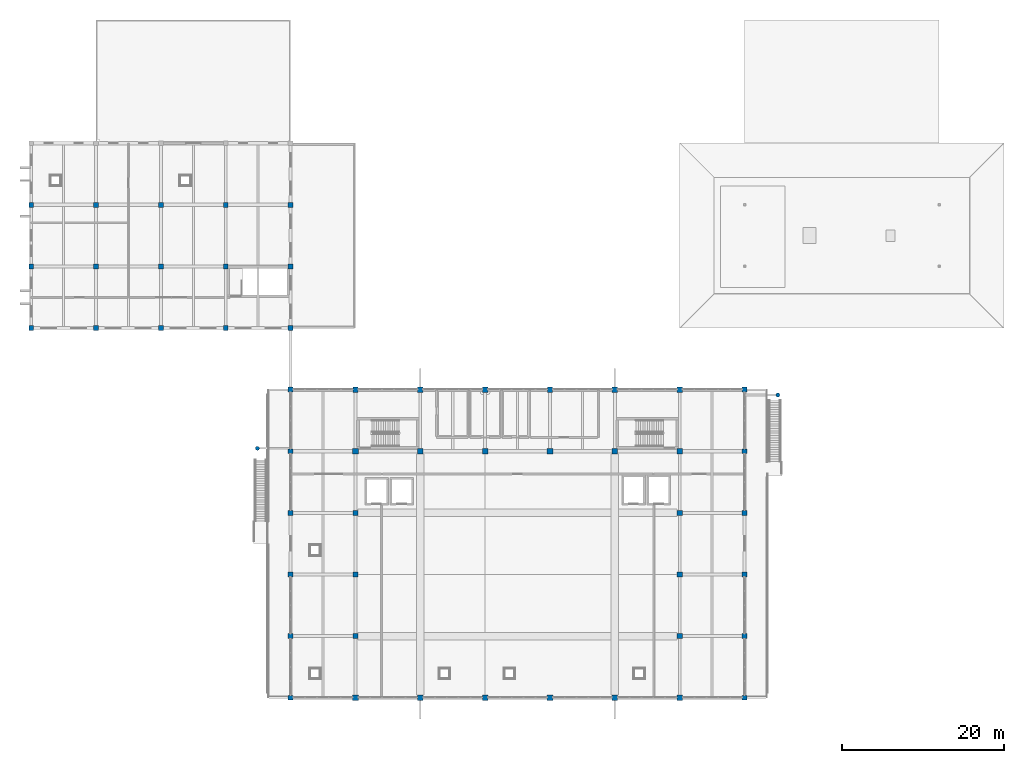
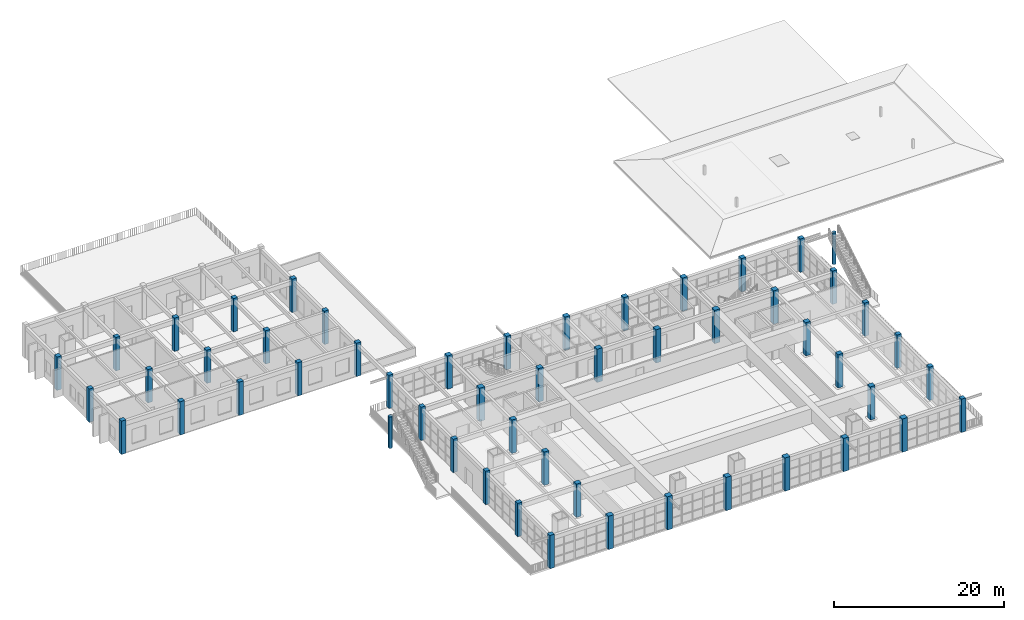
# One storey, part 1 of 50: 53 columns.
"""IFC4 building model written with IfcOpenShell, lengths in metres."""

from ifc_helpers import new_model, si_unit, direction, frame, origin, origin_2d, place, context, subcontext, project, spatial, rectangle, circle, extrude, material, material_profile, profile_set, type_object, element, save


model = new_model("IFC4")

# Units and contexts
model_context = context("Model", 3, precision=1e-05, world=origin(), true_north=direction((0.0, 1.0)))
body_context = subcontext(model_context, "Body", "Model", "MODEL_VIEW")
ifc_project = project(units=[si_unit("LENGTHUNIT", "METRE"), si_unit("AREAUNIT", "SQUARE_METRE"), si_unit("VOLUMEUNIT", "CUBIC_METRE"), si_unit("PLANEANGLEUNIT", "RADIAN"), si_unit("MASSUNIT", "GRAM", prefix="KILO")], contexts=[model_context])

# Site, building, storey
site_placement = place(None, origin())
site = spatial("IfcSite", under=ifc_project, at=site_placement, CompositionType="ELEMENT")
building_placement = place(site_placement, origin())
building = spatial("IfcBuilding", under=site, at=building_placement, Name="Zantavel Square City Hall", CompositionType="ELEMENT")
storey_placement = place(building_placement, frame((0.0, 0.0, 18.89990234375)))
storey = spatial("IfcBuildingStorey", under=building, at=storey_placement, Name="L05", CompositionType="ELEMENT", Elevation=18.89990234375)

# Columns
ifc_material = material(Name="Concrete C40/50", Category="concrete")
ifc_material_profile_1 = material_profile(ifc_material, rectangle(XDim=0.60009765625, YDim=0.60009765625, at=origin_2d()), Name="RC 600x600")
ifc_profile_set_1 = profile_set([ifc_material_profile_1], Name="Concrete C40/50")
column_type_1 = type_object("IfcColumnType", Name="Column RC 600x600 C40/50", PredefinedType="COLUMN", material=ifc_profile_set_1)
for number, where, z_axis, x_axis, name in (
    (1, (24.0, 76.0, 0.0), (0.0, 0.0, 1.0), (1.0, 0.0, 0.0), "L05 Column COL-L05-0240-0760"),
    (2, (24.0, 83.60009765625, 0.0), (0.0, 0.0, 1.0), (1.0, 0.0, 0.0), "L05 Column COL-L05-0240-0836"),
    (3, (24.0, 91.199951171875, 0.0), (0.0, 0.0, 1.0), (1.0, 0.0, 0.0), "L05 Column COL-L05-0240-0912"),
    (4, (32.0, 76.0, 0.0), (0.0, 0.0, 1.0), (1.0, 0.0, 0.0), "L05 Column COL-L05-0320-0760"),
    (5, (32.0, 83.60009765625, 0.0), (0.0, 0.0, 1.0), (1.0, 0.0, 0.0), "L05 Column COL-L05-0320-0836"),
    (6, (32.0, 91.199951171875, 0.0), (0.0, 0.0, 1.0), (1.0, 0.0, 0.0), "L05 Column COL-L05-0320-0912"),
    (7, (40.0, 76.0, 0.0), (0.0, 0.0, 1.0), (1.0, 0.0, 0.0), "L05 Column COL-L05-0400-0760"),
    (8, (40.0, 83.60009765625, 0.0), (0.0, 0.0, 1.0), (1.0, 0.0, 0.0), "L05 Column COL-L05-0400-0836"),
    (9, (40.0, 91.199951171875, 0.0), (0.0, 0.0, 1.0), (1.0, 0.0, 0.0), "L05 Column COL-L05-0400-0912"),
    (10, (48.0, 76.0, 0.0), (0.0, 0.0, 1.0), (1.0, 0.0, 0.0), "L05 Column COL-L05-0480-0760"),
    (11, (48.0, 83.60009765625, 0.0), (0.0, 0.0, 1.0), (1.0, 0.0, 0.0), "L05 Column COL-L05-0480-0836"),
    (12, (48.0, 91.199951171875, 0.0), (0.0, 0.0, 1.0), (1.0, 0.0, 0.0), "L05 Column COL-L05-0480-0912"),
    (13, (56.0, 30.39990234375, 0.0), (0.0, 0.0, 1.0), (1.0, 0.0, 0.0), "L05 Column COL-L05-0560-0304"),
    (14, (56.0, 38.0, 0.0), (0.0, 0.0, 1.0), (1.0, 0.0, 0.0), "L05 Column COL-L05-0560-0380"),
    (15, (56.0, 45.60009765625, 0.0), (0.0, 0.0, 1.0), (1.0, 0.0, 0.0), "L05 Column COL-L05-0560-0456"),
    (16, (56.0, 53.199951171875, 0.0), (0.0, 0.0, 1.0), (1.0, 0.0, 0.0), "L05 Column COL-L05-0560-0532"),
    (17, (56.0, 60.800048828125, 0.0), (0.0, 0.0, 1.0), (1.0, 0.0, 0.0), "L05 Column COL-L05-0560-0608"),
    (18, (56.0, 68.39990234375, 0.0), (0.0, 0.0, 1.0), (1.0, 0.0, 0.0), "L05 Column COL-L05-0560-0684"),
    (19, (56.0, 76.0, 0.0), (0.0, 0.0, 1.0), (1.0, 0.0, 0.0), "L05 Column COL-L05-0560-0760"),
    (20, (56.0, 83.60009765625, 0.0), (0.0, 0.0, 1.0), (1.0, 0.0, 0.0), "L05 Column COL-L05-0560-0836"),
    (21, (56.0, 91.199951171875, 0.0), (0.0, 0.0, 1.0), (1.0, 0.0, 0.0), "L05 Column COL-L05-0560-0912"),
    (22, (112.0, 30.39990234375, 0.0), (0.0, 0.0, 1.0), (1.0, 0.0, 0.0), "L05 Column COL-L05-1120-0304"),
    (23, (112.0, 38.0, 0.0), (0.0, 0.0, 1.0), (1.0, 0.0, 0.0), "L05 Column COL-L05-1120-0380"),
    (24, (112.0, 45.60009765625, 0.0), (0.0, 0.0, 1.0), (1.0, 0.0, 0.0), "L05 Column COL-L05-1120-0456"),
    (25, (112.0, 53.199951171875, 0.0), (0.0, 0.0, 1.0), (1.0, 0.0, 0.0), "L05 Column COL-L05-1120-0532"),
    (26, (112.0, 60.800048828125, 0.0), (0.0, 0.0, 1.0), (1.0, 0.0, 0.0), "L05 Column COL-L05-1120-0608"),
    (27, (112.0, 68.39990234375, 0.0), (0.0, 0.0, 1.0), (1.0, 0.0, 0.0), "L05 Column COL-L05-1120-0684"),
):
    element("IfcColumn", number, at=place(storey_placement, frame(where, z_axis=z_axis, x_axis=x_axis)), inside=storey, type_object=column_type_1, Name=name, PredefinedType="COLUMN", context=body_context, shape_type="SweptSolid", body=[
        extrude(rectangle(XDim=0.60009765625, YDim=0.60009765625, at=origin_2d()), origin(), (0.0, 0.0, 1.0), 4.800048828125),
    ])
ifc_material_profile_2 = material_profile(ifc_material, rectangle(XDim=0.64990234375, YDim=0.64990234375, at=origin_2d()), Name="RC 650x650")
ifc_profile_set_2 = profile_set([ifc_material_profile_2], Name="Concrete C40/50")
column_type_2 = type_object("IfcColumnType", Name="Column RC 650x650 C40/50", PredefinedType="COLUMN", material=ifc_profile_set_2)
for number, where, z_axis, x_axis, name in (
    (28, (64.0, 38.0, 0.0), (0.0, 0.0, 1.0), (1.0, 0.0, 0.0), "L05 Column COL-L05-0640-0380"),
    (29, (64.0, 45.60009765625, 0.0), (0.0, 0.0, 1.0), (1.0, 0.0, 0.0), "L05 Column COL-L05-0640-0456"),
    (30, (64.0, 53.199951171875, 0.0), (0.0, 0.0, 1.0), (1.0, 0.0, 0.0), "L05 Column COL-L05-0640-0532"),
    (31, (64.0, 68.39990234375, 0.0), (0.0, 0.0, 1.0), (1.0, 0.0, 0.0), "L05 Column COL-L05-0640-0684"),
    (32, (72.0, 68.39990234375, 0.0), (0.0, 0.0, 1.0), (1.0, 0.0, 0.0), "L05 Column COL-L05-0720-0684"),
    (33, (80.0, 68.39990234375, 0.0), (0.0, 0.0, 1.0), (1.0, 0.0, 0.0), "L05 Column COL-L05-0800-0684"),
    (34, (88.0, 68.39990234375, 0.0), (0.0, 0.0, 1.0), (1.0, 0.0, 0.0), "L05 Column COL-L05-0880-0684"),
    (35, (96.0, 68.39990234375, 0.0), (0.0, 0.0, 1.0), (1.0, 0.0, 0.0), "L05 Column COL-L05-0960-0684"),
    (36, (104.0, 38.0, 0.0), (0.0, 0.0, 1.0), (1.0, 0.0, 0.0), "L05 Column COL-L05-1040-0380"),
    (37, (104.0, 45.60009765625, 0.0), (0.0, 0.0, 1.0), (1.0, 0.0, 0.0), "L05 Column COL-L05-1040-0456"),
    (38, (104.0, 53.199951171875, 0.0), (0.0, 0.0, 1.0), (1.0, 0.0, 0.0), "L05 Column COL-L05-1040-0532"),
    (39, (104.0, 68.39990234375, 0.0), (0.0, 0.0, 1.0), (1.0, 0.0, 0.0), "L05 Column COL-L05-1040-0684"),
):
    element("IfcColumn", number, at=place(storey_placement, frame(where, z_axis=z_axis, x_axis=x_axis)), inside=storey, type_object=column_type_2, Name=name, PredefinedType="COLUMN", context=body_context, shape_type="SweptSolid", body=[
        extrude(rectangle(XDim=0.64990234375, YDim=0.64990234375, at=origin_2d()), origin(), (0.0, 0.0, 1.0), 4.800048828125),
    ])
ifc_material_profile_3 = material_profile(ifc_material, rectangle(XDim=0.699951171875, YDim=0.699951171875, at=origin_2d()), Name="RC 700x700")
ifc_profile_set_3 = profile_set([ifc_material_profile_3], Name="Concrete C40/50")
column_type_3 = type_object("IfcColumnType", Name="Column RC 700x700 C40/50", PredefinedType="COLUMN", material=ifc_profile_set_3)
for number, where, z_axis, x_axis, name in (
    (40, (64.0, 30.39990234375, 0.0), (0.0, 0.0, 1.0), (1.0, 0.0, 0.0), "L05 Column COL-L05-0640-0304"),
    (41, (64.0, 60.800048828125, 0.0), (0.0, 0.0, 1.0), (1.0, 0.0, 0.0), "L05 Column COL-L05-0640-0608"),
    (42, (72.0, 30.39990234375, 0.0), (0.0, 0.0, 1.0), (1.0, 0.0, 0.0), "L05 Column COL-L05-0720-0304"),
    (43, (72.0, 60.800048828125, 0.0), (0.0, 0.0, 1.0), (1.0, 0.0, 0.0), "L05 Column COL-L05-0720-0608"),
    (44, (80.0, 30.39990234375, 0.0), (0.0, 0.0, 1.0), (1.0, 0.0, 0.0), "L05 Column COL-L05-0800-0304"),
    (45, (80.0, 60.800048828125, 0.0), (0.0, 0.0, 1.0), (1.0, 0.0, 0.0), "L05 Column COL-L05-0800-0608"),
    (46, (88.0, 30.39990234375, 0.0), (0.0, 0.0, 1.0), (1.0, 0.0, 0.0), "L05 Column COL-L05-0880-0304"),
    (47, (88.0, 60.800048828125, 0.0), (0.0, 0.0, 1.0), (1.0, 0.0, 0.0), "L05 Column COL-L05-0880-0608"),
    (48, (96.0, 30.39990234375, 0.0), (0.0, 0.0, 1.0), (1.0, 0.0, 0.0), "L05 Column COL-L05-0960-0304"),
    (49, (96.0, 60.800048828125, 0.0), (0.0, 0.0, 1.0), (1.0, 0.0, 0.0), "L05 Column COL-L05-0960-0608"),
    (50, (104.0, 30.39990234375, 0.0), (0.0, 0.0, 1.0), (1.0, 0.0, 0.0), "L05 Column COL-L05-1040-0304"),
    (51, (104.0, 60.800048828125, 0.0), (0.0, 0.0, 1.0), (1.0, 0.0, 0.0), "L05 Column COL-L05-1040-0608"),
):
    element("IfcColumn", number, at=place(storey_placement, frame(where, z_axis=z_axis, x_axis=x_axis)), inside=storey, type_object=column_type_3, Name=name, PredefinedType="COLUMN", context=body_context, shape_type="SweptSolid", body=[
        extrude(rectangle(XDim=0.699951171875, YDim=0.699951171875, at=origin_2d()), origin(), (0.0, 0.0, 1.0), 4.800048828125),
    ])
ifc_material_profile_4 = material_profile(ifc_material, circle(Radius=0.25, at=origin_2d()), Name="ROUND D500")
ifc_profile_set_4 = profile_set([ifc_material_profile_4], Name="Concrete C40/50")
column_type_4 = type_object("IfcColumnType", Name="Portico Canopy Classical Column D500 C40/50", PredefinedType="COLUMN", material=ifc_profile_set_4)
for number, where, z_axis, x_axis, name in (
    (52, (116.10009765625, 67.7451171875, 0.0), (0.0, 0.0, 1.0), (1.0, 0.0, 0.0), "L05 Terrace Stair Loggia Column 3"),
    (53, (51.89990234375, 61.169921875, 0.0), (0.0, 0.0, 1.0), (1.0, 0.0, 0.0), "L05 Terrace Stair Loggia Column 6"),
):
    element("IfcColumn", number, at=place(storey_placement, frame(where, z_axis=z_axis, x_axis=x_axis)), inside=storey, type_object=column_type_4, Name=name, PredefinedType="COLUMN", context=body_context, shape_type="SweptSolid", body=[
        extrude(circle(Radius=0.25, at=origin_2d()), origin(), (0.0, 0.0, 1.0), 4.52001953125),
    ])

save(model, "model.ifc")
